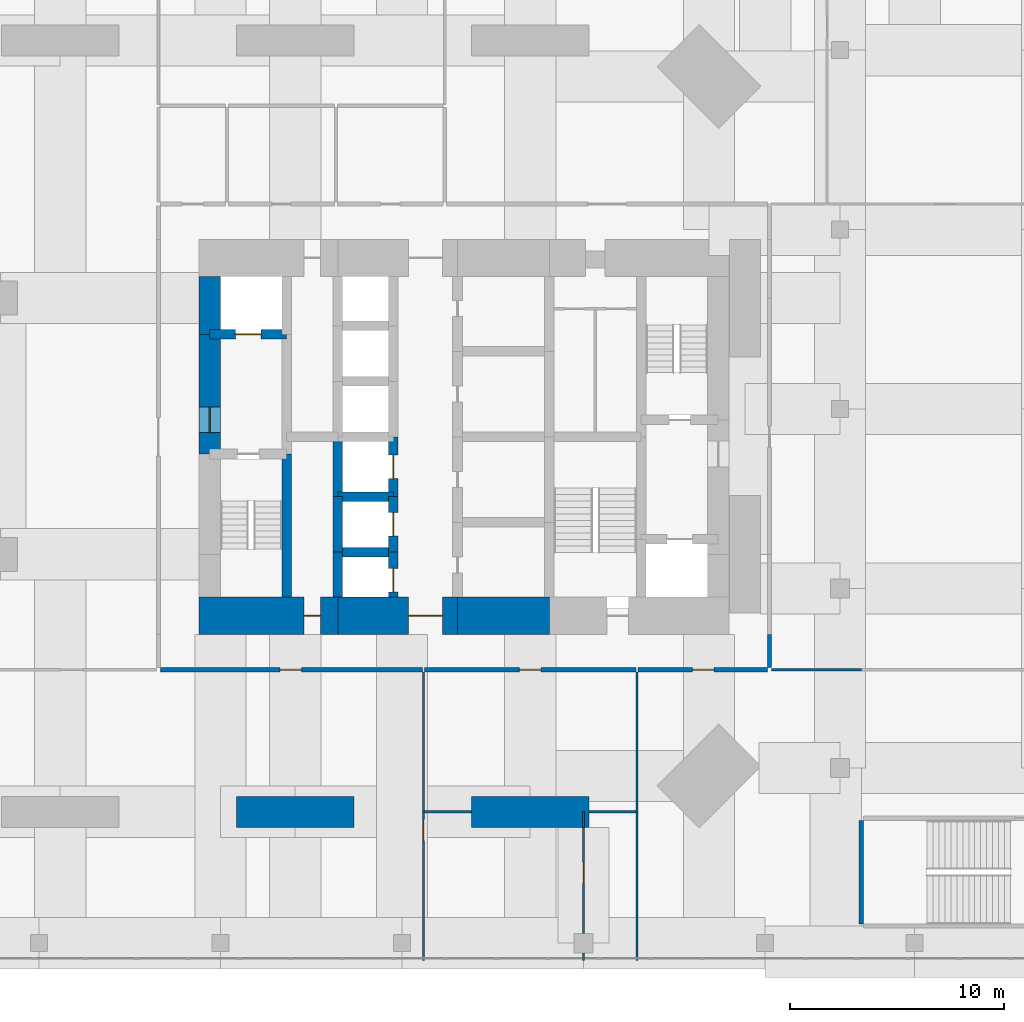
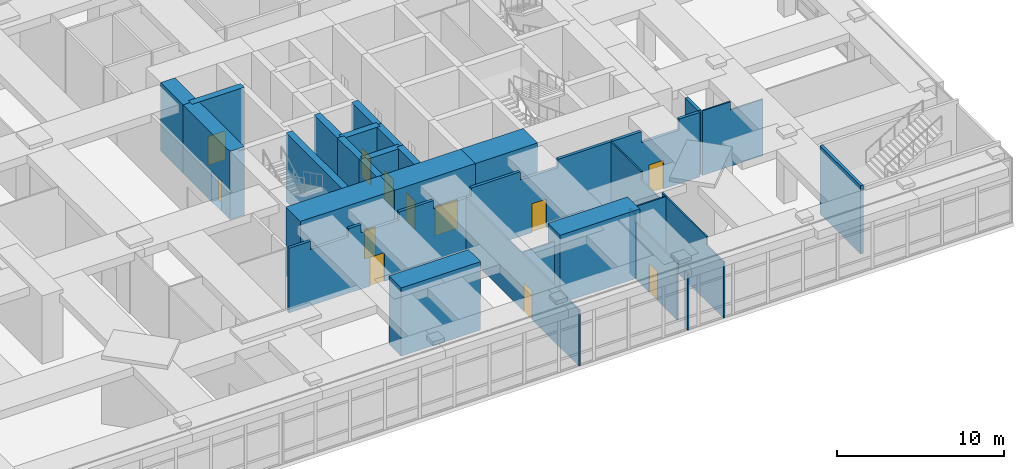
# One storey, part 18 of 22: 30 walls, 12 doors, 12 openings.
"""IFC4 building model written with IfcOpenShell, lengths in metres."""

from ifc_helpers import new_model, si_unit, direction, frame, frame_2d, origin, place, context, subcontext, project, spatial, polyline, rectangle, outline, extrude, material, layer, layer_set, constituent, constituent_set, type_object, element, fill, save


model = new_model("IFC4")

# Units and contexts
model_context = context("Model", 3, precision=1e-05, world=origin(), true_north=direction((0.0, 1.0)))
body_context = subcontext(model_context, "Body", "Model", "MODEL_VIEW")
ifc_project = project(units=[si_unit("LENGTHUNIT", "METRE"), si_unit("AREAUNIT", "SQUARE_METRE"), si_unit("VOLUMEUNIT", "CUBIC_METRE"), si_unit("PLANEANGLEUNIT", "RADIAN"), si_unit("MASSUNIT", "GRAM", prefix="KILO")], contexts=[model_context])

# Site, building, storey
site_placement = place(None, origin())
site = spatial("IfcSite", under=ifc_project, at=site_placement, CompositionType="ELEMENT")
building_placement = place(site_placement, origin())
building = spatial("IfcBuilding", under=site, at=building_placement, Name="Jalousie Tower", CompositionType="ELEMENT")
storey_placement = place(building_placement, frame((0.0, 0.0, 6.0)))
storey = spatial("IfcBuildingStorey", under=building, at=storey_placement, Name="L01", CompositionType="ELEMENT", Elevation=6.0)

# Wall
ifc_material_1 = material(Name="Concrete f'c 120 MPa", Category="concrete")
ifc_layer_1 = layer(ifc_material_1, 1.0)
ifc_layer_set_1 = layer_set([ifc_layer_1], Name="Concrete f'c 120 MPa")
wall_type_1 = type_object("IfcWallType", Name="CORE WALL 1000", PredefinedType="SHEAR", material=ifc_layer_set_1)
wall_1_placement = place(storey_placement, frame((20.0, 26.0, 0.0), z_axis=(0.0, 0.0, 1.0), x_axis=(0.0, -1.0, 0.0)))
element("IfcWall", 1, at=wall_1_placement, inside=storey, type_object=wall_type_1, Name="Core wall WA L01", PredefinedType="SHEAR", context=body_context, shape_type="SweptSolid", body=[
    extrude(rectangle(XDim=2.699951171875, YDim=1.0, at=frame_2d((1.35009765625, 0.0))), origin(), (0.0, 0.0, 1.0), 5.0),
])

# Wall, opening, door
wall_2_placement = place(storey_placement, frame((20.0, 23.300048828125, 0.0), z_axis=(0.0, 0.0, 1.0), x_axis=(0.0, -1.0, 0.0)))
wall_2 = element("IfcWall", 2, at=wall_2_placement, inside=storey, type_object=wall_type_1, Name="Core wall WB L01", PredefinedType="SHEAR", context=body_context, shape_type="SweptSolid", body=[
    extrude(rectangle(XDim=5.60009765625, YDim=1.0, at=frame_2d((2.800048828125, 0.0))), origin(), (0.0, 0.0, 1.0), 5.0),
])
opening_1_placement = place(wall_2_placement, frame((3.39990234375, 0.0, 0.0)))
opening_1 = element("IfcOpeningElement", 3, at=opening_1_placement, cuts=wall_2, Name="Opening D11", PredefinedType="OPENING", context=body_context, shape_type="SweptSolid", body=[
    extrude(rectangle(XDim=1.199951171875, YDim=2.199951171875, at=frame_2d((0.60009765625, 1.10009765625))), frame((0.0, 0.510009765625, 0.0), z_axis=(0.0, -1.0, 0.0), x_axis=(1.0, 0.0, 0.0)), (0.0, 0.0, 1.0), 1.02001953125),
])
ifc_material_2 = material(Name="Steel fire door", Category="steel")
door_type_1 = type_object("IfcDoorType", Name="FIRE DOOR 1200", OperationType="SINGLE_SWING_LEFT", PredefinedType="DOOR", material=ifc_material_2)
door_1_placement = place(opening_1_placement, origin())
door_1 = element("IfcDoor", 4, at=door_1_placement, inside=storey, type_object=door_type_1, Name="Fire-fighting lobby A door", OperationType="SINGLE_SWING_RIGHT", OverallHeight=2.199951171875, OverallWidth=1.199951171875, PredefinedType="DOOR", context=body_context, shape_type="SweptSolid", body=[
    extrude(rectangle(XDim=1.199951171875, YDim=2.199951171875, at=frame_2d((0.60009765625, 1.10009765625))), frame((0.0, 0.02490234375, 0.0), z_axis=(0.0, -1.0, 0.0), x_axis=(1.0, 0.0, 0.0)), (0.0, 0.0, 1.0), 0.050048828125),
])
fill(opening_1, door_1)

ifc_material_3 = material(Name="Concrete f'c 120 MPa", Category="concrete")
ifc_layer_2 = layer(ifc_material_3, 1.75)
ifc_layer_set_2 = layer_set([ifc_layer_2], Name="Concrete f'c 120 MPa")
wall_type_2 = type_object("IfcWallType", Name="CORE WALL 1750", PredefinedType="SHEAR", material=ifc_layer_set_2)
wall_3_placement = place(storey_placement, frame((19.5, 10.125, 0.0), z_axis=(0.0, 0.0, 1.0), x_axis=(1.0, 0.0, 0.0)))
wall_3 = element("IfcWall", 5, at=wall_3_placement, inside=storey, type_object=wall_type_2, Name="Core wall SA L01", PredefinedType="SHEAR", context=body_context, shape_type="SweptSolid", body=[
    extrude(rectangle(XDim=6.5, YDim=1.75, at=frame_2d((3.25, 0.0))), origin(), (0.0, 0.0, 1.0), 5.0),
])
opening_2_placement = place(wall_3_placement, frame((4.925048828125, 0.0, 0.0)))
opening_2 = element("IfcOpeningElement", 6, at=opening_2_placement, cuts=wall_3, Name="Opening D16", PredefinedType="OPENING", context=body_context, shape_type="SweptSolid", body=[
    extrude(rectangle(XDim=0.75, YDim=2.10009765625, at=frame_2d((0.375, 1.050048828125))), frame((0.0, 0.885009765625, 0.0), z_axis=(0.0, -1.0, 0.0), x_axis=(1.0, 0.0, 0.0)), (0.0, 0.0, 1.0), 1.77001953125),
])
ifc_material_4 = material(Name="Steel fire door", Category="steel")
door_type_2 = type_object("IfcDoorType", Name="RISER DOOR 750", OperationType="SINGLE_SWING_LEFT", PredefinedType="DOOR", material=ifc_material_4)
door_2_placement = place(opening_2_placement, origin())
door_2 = element("IfcDoor", 7, at=door_2_placement, inside=storey, type_object=door_type_2, Name="South riser door", OperationType="SINGLE_SWING_LEFT", OverallHeight=2.10009765625, OverallWidth=0.75, PredefinedType="DOOR", context=body_context, shape_type="SweptSolid", body=[
    extrude(rectangle(XDim=0.75, YDim=2.10009765625, at=frame_2d((0.375, 1.050048828125))), frame((0.0, 0.02490234375, 0.0), z_axis=(0.0, -1.0, 0.0), x_axis=(1.0, 0.0, 0.0)), (0.0, 0.0, 1.0), 0.050048828125),
])
fill(opening_2, door_2)

wall_4_placement = place(storey_placement, frame((26.0, 10.125, 0.0), z_axis=(0.0, 0.0, 1.0), x_axis=(1.0, 0.0, 0.0)))
wall_4 = element("IfcWall", 8, at=wall_4_placement, inside=storey, type_object=wall_type_2, Name="Core wall SB L01", PredefinedType="SHEAR", context=body_context, shape_type="SweptSolid", body=[
    extrude(rectangle(XDim=5.60009765625, YDim=1.75, at=frame_2d((2.800048828125, 0.0))), origin(), (0.0, 0.0, 1.0), 5.0),
])
opening_3_placement = place(wall_4_placement, frame((3.300048828125, 0.0, 0.0)))
opening_3 = element("IfcOpeningElement", 9, at=opening_3_placement, cuts=wall_4, Name="Opening D15", PredefinedType="OPENING", context=body_context, shape_type="SweptSolid", body=[
    extrude(rectangle(XDim=1.60009765625, YDim=2.10009765625, at=frame_2d((0.800048828125, 1.050048828125))), frame((0.0, 0.885009765625, 0.0), z_axis=(0.0, -1.0, 0.0), x_axis=(1.0, 0.0, 0.0)), (0.0, 0.0, 1.0), 1.77001953125),
])
ifc_material_5 = material(Name="Steel fire door", Category="steel")
door_type_3 = type_object("IfcDoorType", Name="LIFT LOBBY DOOR 1600", OperationType="DOUBLE_DOOR_SINGLE_SWING", PredefinedType="DOOR", material=ifc_material_5)
door_3_placement = place(opening_3_placement, origin())
door_3 = element("IfcDoor", 10, at=door_3_placement, inside=storey, type_object=door_type_3, Name="Lift lobby south door", OperationType="DOUBLE_DOOR_SINGLE_SWING", OverallHeight=2.10009765625, OverallWidth=1.60009765625, PredefinedType="DOOR", context=body_context, shape_type="SweptSolid", body=[
    extrude(rectangle(XDim=1.60009765625, YDim=2.10009765625, at=frame_2d((0.800048828125, 1.050048828125))), frame((0.0, 0.02490234375, 0.0), z_axis=(0.0, -1.0, 0.0), x_axis=(1.0, 0.0, 0.0)), (0.0, 0.0, 1.0), 0.050048828125),
])
fill(opening_3, door_3)

# Walls
wall_5_placement = place(storey_placement, frame((31.60009765625, 10.125, 0.0), z_axis=(0.0, 0.0, 1.0), x_axis=(1.0, 0.0, 0.0)))
element("IfcWall", 11, at=wall_5_placement, inside=storey, type_object=wall_type_2, Name="Core wall SC L01", PredefinedType="SHEAR", context=body_context, shape_type="SweptSolid", body=[
    extrude(rectangle(XDim=4.2998046875, YDim=1.75, at=frame_2d((2.14990234375, 0.0))), origin(), (0.0, 0.0, 1.0), 5.0),
])
ifc_material_6 = material(Name="Concrete f'c 120 MPa", Category="concrete")
ifc_layer_3 = layer(ifc_material_6, 0.449951171875)
ifc_layer_set_3 = layer_set([ifc_layer_3], Name="Concrete f'c 120 MPa")
wall_type_3 = type_object("IfcWallType", Name="CORE WALL 450", PredefinedType="SHEAR", material=ifc_layer_set_3)
wall_6_placement = place(storey_placement, frame((23.60009765625, 11.0, 0.0), z_axis=(0.0, 0.0, 1.0), x_axis=(0.0, 1.0, 0.0)))
element("IfcWall", 12, at=wall_6_placement, inside=storey, type_object=wall_type_3, Name="Core wall X23.6A L01", PredefinedType="SHEAR", context=body_context, shape_type="SweptSolid", body=[
    extrude(rectangle(XDim=6.699951171875, YDim=0.449951171875, at=frame_2d((3.35009765625, 0.0))), origin(), (0.0, 0.0, 1.0), 5.0),
])
wall_7_placement = place(storey_placement, frame((26.0, 11.0, 0.0), z_axis=(0.0, 0.0, 1.0), x_axis=(0.0, 1.0, 0.0)))
element("IfcWall", 13, at=wall_7_placement, inside=storey, type_object=wall_type_3, Name="Core wall X26A L01", PredefinedType="SHEAR", context=body_context, shape_type="SweptSolid", body=[
    extrude(rectangle(XDim=2.10009765625, YDim=0.449951171875, at=frame_2d((1.050048828125, 0.0))), origin(), (0.0, 0.0, 1.0), 5.0),
])
wall_8_placement = place(storey_placement, frame((26.0, 13.10009765625, 0.0), z_axis=(0.0, 0.0, 1.0), x_axis=(0.0, 1.0, 0.0)))
element("IfcWall", 14, at=wall_8_placement, inside=storey, type_object=wall_type_3, Name="Core wall X26B L01", PredefinedType="SHEAR", context=body_context, shape_type="SweptSolid", body=[
    extrude(rectangle(XDim=2.599853515625, YDim=0.449951171875, at=frame_2d((1.2998046875, 0.0))), origin(), (0.0, 0.0, 1.0), 5.0),
])
wall_9_placement = place(storey_placement, frame((26.0, 15.699951171875, 0.0), z_axis=(0.0, 0.0, 1.0), x_axis=(0.0, 1.0, 0.0)))
element("IfcWall", 15, at=wall_9_placement, inside=storey, type_object=wall_type_3, Name="Core wall X26C L01", PredefinedType="SHEAR", context=body_context, shape_type="SweptSolid", body=[
    extrude(rectangle(XDim=2.800048828125, YDim=0.449951171875, at=frame_2d((1.39990234375, 0.0))), origin(), (0.0, 0.0, 1.0), 5.0),
])

# Wall, opening, door
wall_10_placement = place(storey_placement, frame((28.60009765625, 11.0, 0.0), z_axis=(0.0, 0.0, 1.0), x_axis=(0.0, 1.0, 0.0)))
wall_10 = element("IfcWall", 16, at=wall_10_placement, inside=storey, type_object=wall_type_3, Name="Core wall X28.6A L01", PredefinedType="SHEAR", context=body_context, shape_type="SweptSolid", body=[
    extrude(rectangle(XDim=2.10009765625, YDim=0.449951171875, at=frame_2d((1.050048828125, 0.0))), origin(), (0.0, 0.0, 1.0), 5.0),
])
opening_4_placement = place(wall_10_placement, frame((0.25, 0.0, 0.0)))
opening_4 = element("IfcOpeningElement", 17, at=opening_4_placement, cuts=wall_10, Name="Opening LD1", PredefinedType="OPENING", context=body_context, shape_type="SweptSolid", body=[
    extrude(rectangle(XDim=1.10009765625, YDim=2.10009765625, at=frame_2d((0.550048828125, 1.050048828125))), frame((0.0, 0.23486328125, 0.0), z_axis=(0.0, -1.0, 0.0), x_axis=(1.0, 0.0, 0.0)), (0.0, 0.0, 1.0), 0.469970703125),
])
ifc_material_7 = material(Name="Steel lift landing door", Category="steel")
door_type_4 = type_object("IfcDoorType", Name="LIFT LANDING DOOR 1100", OperationType="SLIDING_TO_LEFT", PredefinedType="DOOR", material=ifc_material_7)
door_4_placement = place(opening_4_placement, origin())
door_4 = element("IfcDoor", 18, at=door_4_placement, inside=storey, type_object=door_type_4, Name="Lift P1 landing door", OperationType="SLIDING_TO_LEFT", OverallHeight=2.10009765625, OverallWidth=1.10009765625, PredefinedType="DOOR", context=body_context, shape_type="SweptSolid", body=[
    extrude(rectangle(XDim=1.10009765625, YDim=2.10009765625, at=frame_2d((0.550048828125, 1.050048828125))), frame((0.0, 0.02490234375, 0.0), z_axis=(0.0, -1.0, 0.0), x_axis=(1.0, 0.0, 0.0)), (0.0, 0.0, 1.0), 0.050048828125),
])
fill(opening_4, door_4)

wall_11_placement = place(storey_placement, frame((28.60009765625, 13.10009765625, 0.0), z_axis=(0.0, 0.0, 1.0), x_axis=(0.0, 1.0, 0.0)))
wall_11 = element("IfcWall", 19, at=wall_11_placement, inside=storey, type_object=wall_type_3, Name="Core wall X28.6B L01", PredefinedType="SHEAR", context=body_context, shape_type="SweptSolid", body=[
    extrude(rectangle(XDim=2.599853515625, YDim=0.449951171875, at=frame_2d((1.2998046875, 0.0))), origin(), (0.0, 0.0, 1.0), 5.0),
])
opening_5_placement = place(wall_11_placement, frame((0.75, 0.0, 0.0)))
opening_5 = element("IfcOpeningElement", 20, at=opening_5_placement, cuts=wall_11, Name="Opening LD1", PredefinedType="OPENING", context=body_context, shape_type="SweptSolid", body=[
    extrude(rectangle(XDim=1.10009765625, YDim=2.10009765625, at=frame_2d((0.550048828125, 1.050048828125))), frame((0.0, 0.23486328125, 0.0), z_axis=(0.0, -1.0, 0.0), x_axis=(1.0, 0.0, 0.0)), (0.0, 0.0, 1.0), 0.469970703125),
])
door_5_placement = place(opening_5_placement, origin())
door_5 = element("IfcDoor", 21, at=door_5_placement, inside=storey, type_object=door_type_4, Name="Lift P2 landing door", OperationType="SLIDING_TO_LEFT", OverallHeight=2.10009765625, OverallWidth=1.10009765625, PredefinedType="DOOR", context=body_context, shape_type="SweptSolid", body=[
    extrude(rectangle(XDim=1.10009765625, YDim=2.10009765625, at=frame_2d((0.550048828125, 1.050048828125))), frame((0.0, 0.02490234375, 0.0), z_axis=(0.0, -1.0, 0.0), x_axis=(1.0, 0.0, 0.0)), (0.0, 0.0, 1.0), 0.050048828125),
])
fill(opening_5, door_5)

wall_12_placement = place(storey_placement, frame((28.60009765625, 15.699951171875, 0.0), z_axis=(0.0, 0.0, 1.0), x_axis=(0.0, 1.0, 0.0)))
wall_12 = element("IfcWall", 22, at=wall_12_placement, inside=storey, type_object=wall_type_3, Name="Core wall X28.6C L01", PredefinedType="SHEAR", context=body_context, shape_type="SweptSolid", body=[
    extrude(rectangle(XDim=2.800048828125, YDim=0.449951171875, at=frame_2d((1.39990234375, 0.0))), origin(), (0.0, 0.0, 1.0), 5.0),
])
opening_6_placement = place(wall_12_placement, frame((0.85009765625, 0.0, 0.0)))
opening_6 = element("IfcOpeningElement", 23, at=opening_6_placement, cuts=wall_12, Name="Opening LD1", PredefinedType="OPENING", context=body_context, shape_type="SweptSolid", body=[
    extrude(rectangle(XDim=1.10009765625, YDim=2.10009765625, at=frame_2d((0.550048828125, 1.050048828125))), frame((0.0, 0.23486328125, 0.0), z_axis=(0.0, -1.0, 0.0), x_axis=(1.0, 0.0, 0.0)), (0.0, 0.0, 1.0), 0.469970703125),
])
door_6_placement = place(opening_6_placement, origin())
door_6 = element("IfcDoor", 24, at=door_6_placement, inside=storey, type_object=door_type_4, Name="Lift P3 landing door", OperationType="SLIDING_TO_LEFT", OverallHeight=2.10009765625, OverallWidth=1.10009765625, PredefinedType="DOOR", context=body_context, shape_type="SweptSolid", body=[
    extrude(rectangle(XDim=1.10009765625, YDim=2.10009765625, at=frame_2d((0.550048828125, 1.050048828125))), frame((0.0, 0.02490234375, 0.0), z_axis=(0.0, -1.0, 0.0), x_axis=(1.0, 0.0, 0.0)), (0.0, 0.0, 1.0), 0.050048828125),
])
fill(opening_6, door_6)

wall_13_placement = place(storey_placement, frame((20.0, 23.300048828125, 0.0), z_axis=(0.0, 0.0, 1.0), x_axis=(1.0, 0.0, 0.0)))
wall_13 = element("IfcWall", 25, at=wall_13_placement, inside=storey, type_object=wall_type_3, Name="Core wall Y20-23.3 L01", PredefinedType="SHEAR", context=body_context, shape_type="SweptSolid", body=[
    extrude(rectangle(XDim=3.60009765625, YDim=0.449951171875, at=frame_2d((1.800048828125, 0.0))), origin(), (0.0, 0.0, 1.0), 5.0),
])
opening_7_placement = place(wall_13_placement, frame((1.199951171875, 0.0, 0.0)))
opening_7 = element("IfcOpeningElement", 26, at=opening_7_placement, cuts=wall_13, Name="Opening LD2", PredefinedType="OPENING", context=body_context, shape_type="SweptSolid", body=[
    extrude(rectangle(XDim=1.199951171875, YDim=2.10009765625, at=frame_2d((0.60009765625, 1.050048828125))), frame((0.0, 0.23486328125, 0.0), z_axis=(0.0, -1.0, 0.0), x_axis=(1.0, 0.0, 0.0)), (0.0, 0.0, 1.0), 0.469970703125),
])
ifc_material_8 = material(Name="Steel lift landing door", Category="steel")
door_type_5 = type_object("IfcDoorType", Name="LIFT LANDING DOOR 1200", OperationType="SLIDING_TO_LEFT", PredefinedType="DOOR", material=ifc_material_8)
door_7_placement = place(opening_7_placement, origin())
door_7 = element("IfcDoor", 27, at=door_7_placement, inside=storey, type_object=door_type_5, Name="Lift F1 landing door", OperationType="SLIDING_TO_LEFT", OverallHeight=2.10009765625, OverallWidth=1.199951171875, PredefinedType="DOOR", context=body_context, shape_type="SweptSolid", body=[
    extrude(rectangle(XDim=1.199951171875, YDim=2.10009765625, at=frame_2d((0.60009765625, 1.050048828125))), frame((0.0, 0.02490234375, 0.0), z_axis=(0.0, -1.0, 0.0), x_axis=(1.0, 0.0, 0.0)), (0.0, 0.0, 1.0), 0.050048828125),
])
fill(opening_7, door_7)

# Walls
for number, where, z_axis, x_axis, name in (
    (28, (26.0, 13.10009765625, 0.0), (0.0, 0.0, 1.0), (1.0, 0.0, 0.0), "Core wall Y26-13.1 L01"),
    (29, (26.0, 15.699951171875, 0.0), (0.0, 0.0, 1.0), (1.0, 0.0, 0.0), "Core wall Y26-15.7 L01"),
):
    element("IfcWall", number, at=place(storey_placement, frame(where, z_axis=z_axis, x_axis=x_axis)), inside=storey, type_object=wall_type_3, Name=name, PredefinedType="SHEAR", context=body_context, shape_type="SweptSolid", body=[
        extrude(rectangle(XDim=2.60009765625, YDim=0.449951171875, at=frame_2d((1.300048828125, 0.0))), origin(), (0.0, 0.0, 1.0), 5.0),
    ])

# Wall, opening, door
ifc_material_9 = material(Name="Concrete block ASTM C90", Category="concrete")
ifc_constituent_1 = constituent(ifc_material_9, Name="Body")
ifc_material_10 = material(Name="Render")
ifc_constituent_2 = constituent(ifc_material_10, Name="Finish")
ifc_constituent_set_1 = constituent_set(constituents=[ifc_constituent_1, ifc_constituent_2])
wall_type_4 = type_object("IfcWallType", Name="CORRIDOR WALL 200", PredefinedType="PARTITIONING", material=ifc_constituent_set_1)
wall_14_placement = place(storey_placement, frame((17.699951171875, 7.60009765625, 0.0), z_axis=(0.0, 0.0, 1.0), x_axis=(1.0, 0.0, 0.0)))
wall_14 = element("IfcWall", 30, at=wall_14_placement, inside=storey, type_object=wall_type_4, Name="Corridor Wall 200 L01", PredefinedType="PARTITIONING", context=body_context, shape_type="SweptSolid", body=[
    extrude(outline(polyline([(0.0, 0.0), (12.25, 0.0), (12.25, 4.719970703125), (12.25, 4.1201171875), (9.989990234375, 4.1201171875), (9.989990234375, 4.719970703125), (7.610107421875, 4.719970703125), (7.610107421875, 4.1201171875), (4.989990234375, 4.1201171875), (4.989990234375, 4.719970703125), (4.110107421875, 4.719970703125), (4.110107421875, 4.1201171875), (1.489990234375, 4.1201171875), (1.489990234375, 4.719970703125), (0.0, 4.719970703125), (0.0, 0.0)])), frame((0.0, 0.10009765625, 0.0), z_axis=(0.0, -1.0, 0.0), x_axis=(1.0, 0.0, 0.0)), (0.0, 0.0, 1.0), 0.199951171875),
])
opening_8_placement = place(wall_14_placement, frame((5.60009765625, 0.0, 0.0)))
opening_8 = element("IfcOpeningElement", 31, at=opening_8_placement, cuts=wall_14, Name="Opening D21", PredefinedType="OPENING", context=body_context, shape_type="SweptSolid", body=[
    extrude(rectangle(XDim=1.0, YDim=2.10009765625, at=frame_2d((0.5, 1.050048828125))), frame((0.0, 0.10986328125, 0.0), z_axis=(0.0, -1.0, 0.0), x_axis=(1.0, 0.0, 0.0)), (0.0, 0.0, 1.0), 0.219970703125),
])
ifc_material_11 = material(Name="Timber fire door", Category="wood")
door_type_6 = type_object("IfcDoorType", Name="CORRIDOR DOOR 1000", OperationType="SINGLE_SWING_LEFT", PredefinedType="DOOR", material=ifc_material_11)
door_8_placement = place(opening_8_placement, frame((1.0, 0.0, 0.0), z_axis=(0.0, 0.0, 1.0), x_axis=(-1.0, 0.0, 0.0)))
door_8 = element("IfcDoor", 32, at=door_8_placement, inside=storey, type_object=door_type_6, Name="Co-working room corridor door", OperationType="SINGLE_SWING_RIGHT", OverallHeight=2.10009765625, OverallWidth=1.0, PredefinedType="DOOR", context=body_context, shape_type="SweptSolid", body=[
    extrude(rectangle(XDim=1.0, YDim=2.10009765625, at=frame_2d((0.5, 1.050048828125))), frame((0.0, 0.02490234375, 0.0), z_axis=(0.0, -1.0, 0.0), x_axis=(1.0, 0.0, 0.0)), (0.0, 0.0, 1.0), 0.050048828125),
])
fill(opening_8, door_8)

wall_15_placement = place(storey_placement, frame((30.050048828125, 7.60009765625, 0.0), z_axis=(0.0, 0.0, 1.0), x_axis=(1.0, 0.0, 0.0)))
wall_15 = element("IfcWall", 33, at=wall_15_placement, inside=storey, type_object=wall_type_4, Name="Corridor Wall 200 L01", PredefinedType="PARTITIONING", context=body_context, shape_type="SweptSolid", body=[
    extrude(outline(polyline([(0.0, 0.0), (9.89990234375, 0.0), (9.89990234375, 4.719970703125), (6.260009765625, 4.719970703125), (6.260009765625, 4.1201171875), (3.639892578125, 4.1201171875), (3.639892578125, 4.719970703125), (0.260009765625, 4.719970703125), (0.260009765625, 4.1201171875), (0.0, 4.1201171875), (0.0, 4.719970703125), (0.0, 0.0)])), frame((0.0, 0.10009765625, 0.0), z_axis=(0.0, -1.0, 0.0), x_axis=(1.0, 0.0, 0.0)), (0.0, 0.0, 1.0), 0.199951171875),
])
opening_9_placement = place(wall_15_placement, frame((4.449951171875, 0.0, 0.0)))
opening_9 = element("IfcOpeningElement", 34, at=opening_9_placement, cuts=wall_15, Name="Opening D21", PredefinedType="OPENING", context=body_context, shape_type="SweptSolid", body=[
    extrude(rectangle(XDim=1.0, YDim=2.10009765625, at=frame_2d((0.5, 1.050048828125))), frame((0.0, 0.10986328125, 0.0), z_axis=(0.0, -1.0, 0.0), x_axis=(1.0, 0.0, 0.0)), (0.0, 0.0, 1.0), 0.219970703125),
])
door_9_placement = place(opening_9_placement, frame((1.0, 0.0, 0.0), z_axis=(0.0, 0.0, 1.0), x_axis=(-1.0, 0.0, 0.0)))
door_9 = element("IfcDoor", 35, at=door_9_placement, inside=storey, type_object=door_type_6, Name="Meeting room door", OperationType="SINGLE_SWING_RIGHT", OverallHeight=2.10009765625, OverallWidth=1.0, PredefinedType="DOOR", context=body_context, shape_type="SweptSolid", body=[
    extrude(rectangle(XDim=1.0, YDim=2.10009765625, at=frame_2d((0.5, 1.050048828125))), frame((0.0, 0.02490234375, 0.0), z_axis=(0.0, -1.0, 0.0), x_axis=(1.0, 0.0, 0.0)), (0.0, 0.0, 1.0), 0.050048828125),
])
fill(opening_9, door_9)

wall_16_placement = place(storey_placement, frame((40.050048828125, 7.60009765625, 0.0), z_axis=(0.0, 0.0, 1.0), x_axis=(1.0, 0.0, 0.0)))
wall_16 = element("IfcWall", 36, at=wall_16_placement, inside=storey, type_object=wall_type_4, Name="Corridor Wall 200 L01", PredefinedType="PARTITIONING", context=body_context, shape_type="SweptSolid", body=[
    extrude(outline(polyline([(0.0, 0.0), (6.050048828125, 0.0), (6.050048828125, 4.719970703125), (4.628662109375, 4.719970703125), (4.628662109375, 3.919921875), (2.008544921875, 3.919921875), (2.008544921875, 4.719970703125), (0.0, 4.719970703125), (0.0, 0.0)])), frame((0.0, 0.10009765625, 0.0), z_axis=(0.0, -1.0, 0.0), x_axis=(1.0, 0.0, 0.0)), (0.0, 0.0, 1.0), 0.199951171875),
])
opening_10_placement = place(wall_16_placement, frame((2.550048828125, 0.0, 0.0)))
opening_10 = element("IfcOpeningElement", 37, at=opening_10_placement, cuts=wall_16, Name="Opening D21", PredefinedType="OPENING", context=body_context, shape_type="SweptSolid", body=[
    extrude(rectangle(XDim=1.0, YDim=2.10009765625, at=frame_2d((0.5, 1.050048828125))), frame((0.0, 0.10986328125, 0.0), z_axis=(0.0, -1.0, 0.0), x_axis=(1.0, 0.0, 0.0)), (0.0, 0.0, 1.0), 0.219970703125),
])
door_10_placement = place(opening_10_placement, frame((1.0, 0.0, 0.0), z_axis=(0.0, 0.0, 1.0), x_axis=(-1.0, 0.0, 0.0)))
door_10 = element("IfcDoor", 38, at=door_10_placement, inside=storey, type_object=door_type_6, Name="Children's play room door", OperationType="SINGLE_SWING_RIGHT", OverallHeight=2.10009765625, OverallWidth=1.0, PredefinedType="DOOR", context=body_context, shape_type="SweptSolid", body=[
    extrude(rectangle(XDim=1.0, YDim=2.10009765625, at=frame_2d((0.5, 1.050048828125))), frame((0.0, 0.02490234375, 0.0), z_axis=(0.0, -1.0, 0.0), x_axis=(1.0, 0.0, 0.0)), (0.0, 0.0, 1.0), 0.050048828125),
])
fill(opening_10, door_10)

# Wall
wall_17_placement = place(storey_placement, frame((46.199951171875, 7.699951171875, 0.0), z_axis=(0.0, 0.0, 1.0), x_axis=(0.0, 1.0, 0.0)))
element("IfcWall", 39, at=wall_17_placement, inside=storey, type_object=wall_type_4, Name="Corridor Wall 200 L01", PredefinedType="PARTITIONING", context=body_context, shape_type="SweptSolid", body=[
    extrude(rectangle(XDim=1.550048828125, YDim=0.199951171875, at=frame_2d((0.77490234375, 0.0))), origin(), (0.0, 0.0, 1.0), 4.719970703125),
])

# Wall, opening, door
ifc_material_12 = material(Name="Gypsum board", Category="gypsum")
ifc_constituent_3 = constituent(ifc_material_12, Name="Body")
ifc_material_13 = material(Name="Light-gauge steel studs ASTM A653 SS Grade 33", Category="steel")
ifc_constituent_4 = constituent(ifc_material_13, Name="Framing")
ifc_constituent_set_2 = constituent_set(constituents=[ifc_constituent_3, ifc_constituent_4])
wall_type_5 = type_object("IfcWallType", Name="PARTITION 100", PredefinedType="PARTITIONING", material=ifc_constituent_set_2)
wall_18_placement = place(storey_placement, frame((30.0, -6.0, 0.0), z_axis=(0.0, 0.0, 1.0), x_axis=(0.0, 1.0, 0.0)))
wall_18 = element("IfcWall", 40, at=wall_18_placement, inside=storey, type_object=wall_type_5, Name="Partition 100 L01", PredefinedType="PARTITIONING", context=body_context, shape_type="SweptSolid", body=[
    extrude(outline(polyline([(0.0, 0.0), (13.5, 0.0), (13.5, 4.719970703125), (13.5, 4.1201171875), (2.06005859375, 4.1201171875), (0.0, 4.1201171875), (0.0, 4.719970703125), (0.0, 0.0)])), frame((0.0, 0.050048828125, 0.0), z_axis=(0.0, -1.0, 0.0), x_axis=(1.0, 0.0, 0.0)), (0.0, 0.0, 1.0), 0.10009765625),
])
opening_11_placement = place(wall_18_placement, frame((5.60009765625, 0.0, 0.0)))
opening_11 = element("IfcOpeningElement", 41, at=opening_11_placement, cuts=wall_18, Name="Opening D6", PredefinedType="OPENING", context=body_context, shape_type="SweptSolid", body=[
    extrude(rectangle(XDim=1.0, YDim=2.10009765625, at=frame_2d((0.5, 1.050048828125))), frame((0.0, 0.06005859375, 0.0), z_axis=(0.0, -1.0, 0.0), x_axis=(1.0, 0.0, 0.0)), (0.0, 0.0, 1.0), 0.1201171875),
])
ifc_material_14 = material(Name="Timber door", Category="wood")
door_type_7 = type_object("IfcDoorType", Name="INTERNAL DOOR 1000", OperationType="SINGLE_SWING_LEFT", PredefinedType="DOOR", material=ifc_material_14)
door_11_placement = place(opening_11_placement, origin())
door_11 = element("IfcDoor", 42, at=door_11_placement, inside=storey, type_object=door_type_7, Name="Meeting room second door", OperationType="SINGLE_SWING_LEFT", OverallHeight=2.10009765625, OverallWidth=1.0, PredefinedType="DOOR", context=body_context, shape_type="SweptSolid", body=[
    extrude(rectangle(XDim=1.0, YDim=2.10009765625, at=frame_2d((0.5, 1.050048828125))), frame((0.0, 0.02490234375, 0.0), z_axis=(0.0, -1.0, 0.0), x_axis=(1.0, 0.0, 0.0)), (0.0, 0.0, 1.0), 0.050048828125),
])
fill(opening_11, door_11)

# Walls
wall_19_placement = place(storey_placement, frame((40.0, -6.0, 0.0), z_axis=(0.0, 0.0, 1.0), x_axis=(0.0, 1.0, 0.0)))
element("IfcWall", 43, at=wall_19_placement, inside=storey, type_object=wall_type_5, Name="Partition 100 L01", PredefinedType="PARTITIONING", context=body_context, shape_type="SweptSolid", body=[
    extrude(outline(polyline([(0.0, 0.0), (13.5, 0.0), (13.5, 4.719970703125), (9.891357421875, 4.719970703125), (9.891357421875, 4.1201171875), (7.371337890625, 4.1201171875), (7.371337890625, 4.719970703125), (2.06005859375, 4.719970703125), (2.06005859375, 4.1201171875), (0.0, 4.1201171875), (0.0, 4.719970703125), (0.0, 0.0)])), frame((0.0, 0.050048828125, 0.0), z_axis=(0.0, -1.0, 0.0), x_axis=(1.0, 0.0, 0.0)), (0.0, 0.0, 1.0), 0.10009765625),
])
wall_20_placement = place(storey_placement, frame((46.300048828125, 7.60009765625, 0.0), z_axis=(0.0, 0.0, 1.0), x_axis=(1.0, 0.0, 0.0)))
element("IfcWall", 44, at=wall_20_placement, inside=storey, type_object=wall_type_5, Name="Partition 100 L01", PredefinedType="PARTITIONING", context=body_context, shape_type="SweptSolid", body=[
    extrude(outline(polyline([(0.0, 0.0), (4.199951171875, 0.0), (4.199951171875, 4.719970703125), (4.199951171875, 4.1201171875), (1.93994140625, 4.1201171875), (1.93994140625, 4.719970703125), (0.0, 4.719970703125), (0.0, 0.0)])), frame((0.0, 0.050048828125, 0.0), z_axis=(0.0, -1.0, 0.0), x_axis=(1.0, 0.0, 0.0)), (0.0, 0.0, 1.0), 0.10009765625),
])
wall_21_placement = place(storey_placement, frame((30.0400390625, 0.949951171875, 0.0), z_axis=(0.0, 0.0, 1.0), x_axis=(1.0, 0.0, 0.0)))
element("IfcWall", 45, at=wall_21_placement, inside=storey, type_object=wall_type_5, Name="Partition 100 L01", PredefinedType="PARTITIONING", context=body_context, shape_type="SweptSolid", body=[
    extrude(outline(polyline([(0.0, 0.0), (2.2099609375, 0.0), (2.2099609375, 4.719970703125), (2.2099609375, 4.1201171875), (0.219970703125, 4.1201171875), (0.0, 4.1201171875), (0.0, 4.719970703125), (0.0, 0.0)])), frame((0.0, 0.050048828125, 0.0), z_axis=(0.0, -1.0, 0.0), x_axis=(1.0, 0.0, 0.0)), (0.0, 0.0, 1.0), 0.10009765625),
])
wall_22_placement = place(storey_placement, frame((37.75, 0.949951171875, 0.0), z_axis=(0.0, 0.0, 1.0), x_axis=(1.0, 0.0, 0.0)))
element("IfcWall", 46, at=wall_22_placement, inside=storey, type_object=wall_type_5, Name="Partition 100 L01", PredefinedType="PARTITIONING", context=body_context, shape_type="SweptSolid", body=[
    extrude(rectangle(XDim=2.2099609375, YDim=0.10009765625, at=frame_2d((1.10498046875, 0.0))), origin(), (0.0, 0.0, 1.0), 4.719970703125),
])
wall_23_placement = place(storey_placement, frame((37.5, -6.010009765625, 0.0), z_axis=(0.0, 0.0, 1.0), x_axis=(0.0, 1.0, 0.0)))
element("IfcWall", 47, at=wall_23_placement, inside=storey, type_object=wall_type_5, Name="Partition 100 L01", PredefinedType="PARTITIONING", context=body_context, shape_type="SweptSolid", body=[
    extrude(outline(polyline([(0.0, 0.0), (0.360107421875, 0.0), (0.360107421875, 4.719970703125), (0.360107421875, 4.1201171875), (0.0, 4.1201171875), (0.0, 4.719970703125), (0.0, 0.0)])), frame((0.0, 0.050048828125, 0.0), z_axis=(0.0, -1.0, 0.0), x_axis=(1.0, 0.0, 0.0)), (0.0, 0.0, 1.0), 0.10009765625),
])

# Wall, opening, door
wall_24_placement = place(storey_placement, frame((37.5, -4.75, 0.0), z_axis=(0.0, 0.0, 1.0), x_axis=(0.0, 1.0, 0.0)))
wall_24 = element("IfcWall", 48, at=wall_24_placement, inside=storey, type_object=wall_type_5, Name="Partition 100 L01-A", PredefinedType="PARTITIONING", context=body_context, shape_type="SweptSolid", body=[
    extrude(rectangle(XDim=4.97509765625, YDim=0.10009765625, at=frame_2d((2.487548828125, 0.0))), origin(), (0.0, 0.0, 1.0), 4.1201171875),
])
opening_12_placement = place(wall_24_placement, frame((2.35498046875, 0.0, 0.0)))
opening_12 = element("IfcOpeningElement", 49, at=opening_12_placement, cuts=wall_24, Name="Opening D6", PredefinedType="OPENING", context=body_context, shape_type="SweptSolid", body=[
    extrude(rectangle(XDim=1.0, YDim=2.10009765625, at=frame_2d((0.5, 1.050048828125))), frame((0.0, 0.06005859375, 0.0), z_axis=(0.0, -1.0, 0.0), x_axis=(1.0, 0.0, 0.0)), (0.0, 0.0, 1.0), 0.1201171875),
])
door_12_placement = place(opening_12_placement, origin())
door_12 = element("IfcDoor", 50, at=door_12_placement, inside=storey, type_object=door_type_7, Name="Small meeting room 2 door", OperationType="SINGLE_SWING_RIGHT", OverallHeight=2.10009765625, OverallWidth=1.0, PredefinedType="DOOR", context=body_context, shape_type="SweptSolid", body=[
    extrude(rectangle(XDim=1.0, YDim=2.10009765625, at=frame_2d((0.5, 1.050048828125))), frame((0.0, 0.02490234375, 0.0), z_axis=(0.0, -1.0, 0.0), x_axis=(1.0, 0.0, 0.0)), (0.0, 0.0, 1.0), 0.050048828125),
])
fill(opening_12, door_12)

# Walls
wall_25_placement = place(storey_placement, frame((37.5, 0.22509765625, 0.0), z_axis=(0.0, 0.0, 1.0), x_axis=(0.0, 1.0, 0.0)))
element("IfcWall", 51, at=wall_25_placement, inside=storey, type_object=wall_type_5, Name="Partition 100 L01-B", PredefinedType="PARTITIONING", context=body_context, shape_type="SweptSolid", body=[
    extrude(outline(polyline([(0.0, 0.0), (0.73486328125, 0.0), (0.735107421875, 4.719970703125), (0.06005859375, 4.719970703125), (0.06005859375, 4.1201171875), (0.0, 4.1201171875), (0.0, 0.0)])), frame((0.0, 0.050048828125, 0.0), z_axis=(0.0, -1.0, 0.0), x_axis=(1.0, 0.0, 0.0)), (0.0, 0.0, 1.0), 0.10009765625),
])
ifc_material_15 = material(Name="Concrete f'c 120 MPa", Category="concrete")
ifc_layer_4 = layer(ifc_material_15, 1.449951171875)
ifc_layer_set_4 = layer_set([ifc_layer_4], Name="Concrete f'c 120 MPa")
wall_type_6 = type_object("IfcWallType", Name="RC WALL PIER 1450", PredefinedType="SHEAR", material=ifc_layer_set_4)
for number, where, z_axis, x_axis, name in (
    (52, (21.25, 0.949951171875, 0.0), (0.0, 0.0, 1.0), (1.0, 0.0, 0.0), "Wall pier 03 L01"),
    (53, (32.25, 0.949951171875, 0.0), (0.0, 0.0, 1.0), (1.0, 0.0, 0.0), "Wall pier 04 L01"),
):
    element("IfcWall", number, at=place(storey_placement, frame(where, z_axis=z_axis, x_axis=x_axis)), inside=storey, type_object=wall_type_6, Name=name, PredefinedType="SHEAR", context=body_context, shape_type="SweptSolid", body=[
        extrude(rectangle(XDim=5.5, YDim=1.449951171875, at=frame_2d((2.75, 0.0))), origin(), (0.0, 0.0, 1.0), 5.0),
    ])
ifc_material_16 = material(Name="Concrete block ASTM C90", Category="concrete")
ifc_constituent_5 = constituent(ifc_material_16, Name="Body")
ifc_material_17 = material(Name="Render")
ifc_constituent_6 = constituent(ifc_material_17, Name="Finish")
ifc_constituent_set_3 = constituent_set(constituents=[ifc_constituent_5, ifc_constituent_6])
wall_type_7 = type_object("IfcWallType", Name="STAIR WALL 200", PredefinedType="SOLIDWALL", material=ifc_constituent_set_3)
wall_26_placement = place(storey_placement, frame((50.5, -4.300048828125, 0.0), z_axis=(0.0, 0.0, 1.0), x_axis=(0.0, 1.0, 0.0)))
element("IfcWall", 54, at=wall_26_placement, inside=storey, type_object=wall_type_7, Name="Stair Wall 200 L01", PredefinedType="SOLIDWALL", context=body_context, shape_type="SweptSolid", body=[
    extrude(rectangle(XDim=4.85009765625, YDim=0.199951171875, at=frame_2d((2.425048828125, 0.0))), origin(), (0.0, 0.0, 1.0), 5.0),
])

save(model, "model.ifc")
